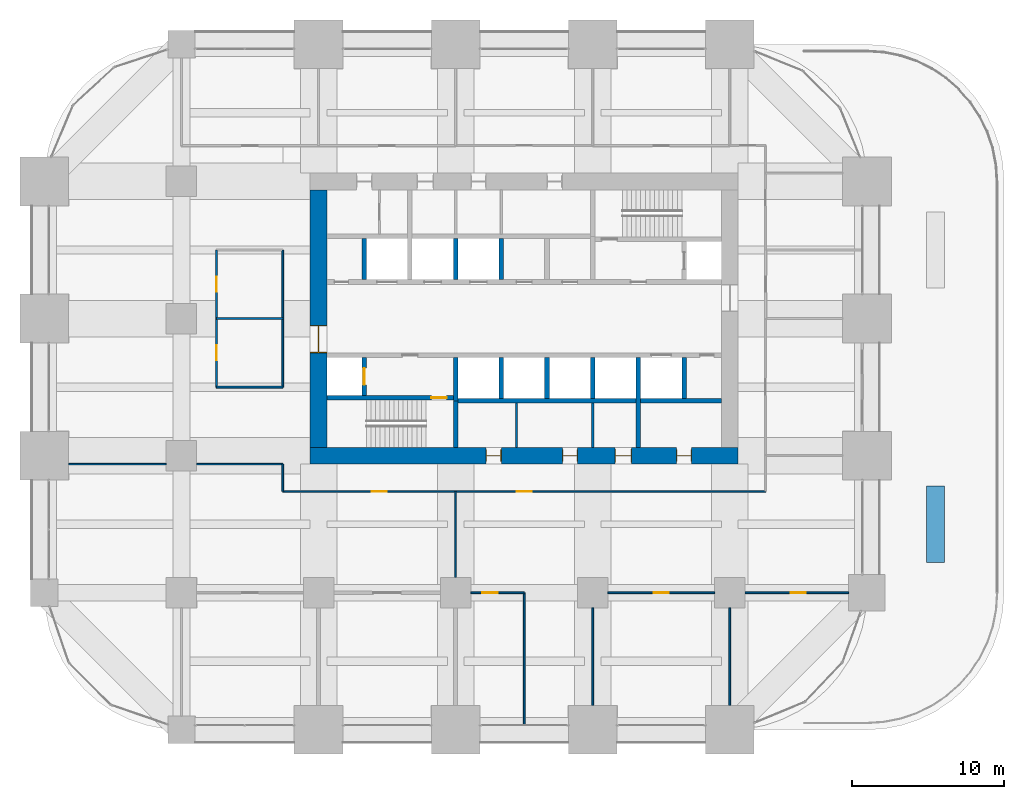
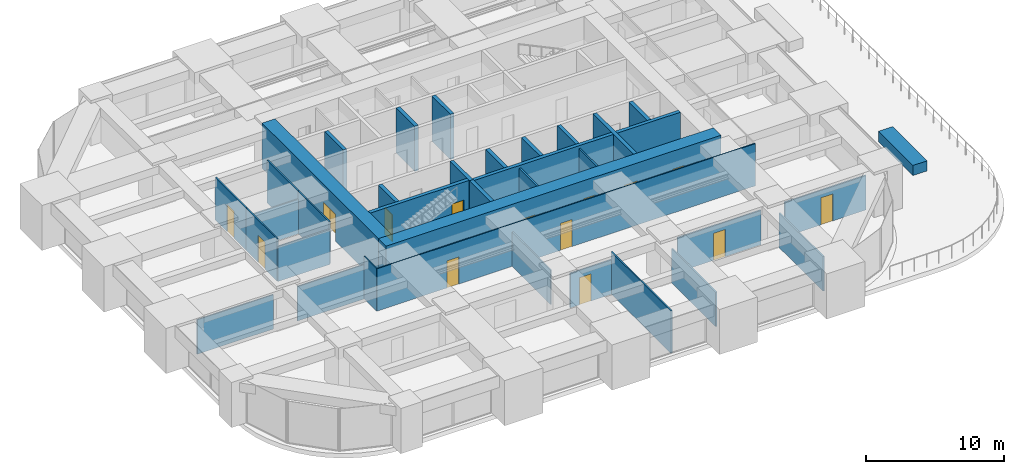
# One storey, part 31 of 35: 35 walls, 14 doors, 14 openings.
"""IFC4 building model written with IfcOpenShell, lengths in metres."""

from ifc_helpers import new_model, si_unit, direction, frame, frame_2d, origin, place, context, subcontext, project, spatial, rectangle, extrude, material, layer, layer_set, type_object, element, fill, save


model = new_model("IFC4")

# Units and contexts
model_context = context("Model", 3, precision=1e-05, world=origin(), true_north=direction((0.0, 1.0)))
body_context = subcontext(model_context, "Body", "Model", "MODEL_VIEW")
ifc_project = project(units=[si_unit("LENGTHUNIT", "METRE"), si_unit("AREAUNIT", "SQUARE_METRE"), si_unit("VOLUMEUNIT", "CUBIC_METRE"), si_unit("PLANEANGLEUNIT", "RADIAN"), si_unit("MASSUNIT", "GRAM", prefix="KILO")], contexts=[model_context])

# Site, building, storey
site_placement = place(None, origin())
site = spatial("IfcSite", under=ifc_project, at=site_placement, CompositionType="ELEMENT")
building_placement = place(site_placement, origin())
building = spatial("IfcBuilding", under=site, at=building_placement, Name="Zorevar Civic Tower", CompositionType="ELEMENT")
storey_placement = place(building_placement, frame((0.0, 0.0, 162.199951171875)))
storey = spatial("IfcBuildingStorey", under=building, at=storey_placement, Name="L39", CompositionType="ELEMENT", Elevation=162.199951171875)

# Wall, openings, doors
ifc_material_1 = material(Name="Concrete C50/60", Category="concrete")
ifc_layer_1 = layer(ifc_material_1, 1.10009765625)
ifc_layer_set_1 = layer_set([ifc_layer_1], Name="Core wall 1100")
wall_type_1 = type_object("IfcWallType", Name="Core wall 1100", PredefinedType="SHEAR", material=ifc_layer_set_1)
wall_1_placement = place(storey_placement, frame((17.449951171875, 18.0, 0.0), z_axis=(0.0, 0.0, 1.0), x_axis=(1.0, 0.0, 0.0)))
wall_1 = element("IfcWall", 1, at=wall_1_placement, inside=storey, type_object=wall_type_1, Name="Core wall S L39", PredefinedType="SHEAR", context=body_context, shape_type="SweptSolid", body=[
    extrude(rectangle(XDim=28.10009765625, YDim=1.10009765625, at=frame_2d((14.050048828125, 0.0))), origin(), (0.0, 0.0, 1.0), 4.0),
])
opening_1_placement = place(wall_1_placement, frame((11.550048828125, 0.0, 0.0)))
opening_1 = element("IfcOpeningElement", 2, at=opening_1_placement, cuts=wall_1, Name="Opening L39.03", PredefinedType="OPENING", context=body_context, shape_type="SweptSolid", body=[
    extrude(rectangle(XDim=1.0, YDim=2.39990234375, at=frame_2d((0.5, 1.199951171875))), frame((0.0, 0.56005859375, 0.0), z_axis=(0.0, -1.0, 0.0), x_axis=(1.0, 0.0, 0.0)), (0.0, 0.0, 1.0), 1.1201171875),
])
opening_2_placement = place(wall_1_placement, frame((16.550048828125, 0.0, 0.0)))
opening_2 = element("IfcOpeningElement", 3, at=opening_2_placement, cuts=wall_1, Name="Opening L39.04", PredefinedType="OPENING", context=body_context, shape_type="SweptSolid", body=[
    extrude(rectangle(XDim=1.0, YDim=2.39990234375, at=frame_2d((0.5, 1.199951171875))), frame((0.0, 0.56005859375, 0.0), z_axis=(0.0, -1.0, 0.0), x_axis=(1.0, 0.0, 0.0)), (0.0, 0.0, 1.0), 1.1201171875),
])
opening_3_placement = place(wall_1_placement, frame((20.0, 0.0, 0.0)))
opening_3 = element("IfcOpeningElement", 4, at=opening_3_placement, cuts=wall_1, Name="Opening L39.05", PredefinedType="OPENING", context=body_context, shape_type="SweptSolid", body=[
    extrude(rectangle(XDim=1.10009765625, YDim=2.39990234375, at=frame_2d((0.550048828125, 1.199951171875))), frame((0.0, 0.56005859375, 0.0), z_axis=(0.0, -1.0, 0.0), x_axis=(1.0, 0.0, 0.0)), (0.0, 0.0, 1.0), 1.1201171875),
])
opening_4_placement = place(wall_1_placement, frame((24.050048828125, 0.0, 0.0)))
opening_4 = element("IfcOpeningElement", 5, at=opening_4_placement, cuts=wall_1, Name="Opening L39.06", PredefinedType="OPENING", context=body_context, shape_type="SweptSolid", body=[
    extrude(rectangle(XDim=1.0, YDim=2.39990234375, at=frame_2d((0.5, 1.199951171875))), frame((0.0, 0.56005859375, 0.0), z_axis=(0.0, -1.0, 0.0), x_axis=(1.0, 0.0, 0.0)), (0.0, 0.0, 1.0), 1.1201171875),
])
ifc_material_2 = material(Name="Timber door set", Category="wood")
door_type_1 = type_object("IfcDoorType", Name="Door D1 1000x2400", OperationType="SINGLE_SWING_LEFT", PredefinedType="DOOR", material=ifc_material_2)
door_1_placement = place(opening_1_placement, origin())
door_1 = element("IfcDoor", 6, at=door_1_placement, inside=storey, type_object=door_type_1, Name="Door L39 02", OperationType="SINGLE_SWING_RIGHT", OverallHeight=2.39990234375, OverallWidth=1.0, PredefinedType="DOOR", context=body_context, shape_type="SweptSolid", body=[
    extrude(rectangle(XDim=1.0, YDim=2.39990234375, at=frame_2d((0.5, 1.199951171875))), frame((0.0, 0.02490234375, 0.0), z_axis=(0.0, -1.0, 0.0), x_axis=(1.0, 0.0, 0.0)), (0.0, 0.0, 1.0), 0.050048828125),
    extrude(rectangle(XDim=0.04, YDim=2.39990234375, at=frame_2d((0.02001953125, 1.199951171875))), frame((0.0, 0.39990234375, 0.0), z_axis=(0.0, -1.0, 0.0), x_axis=(1.0, 0.0, 0.0)), (0.0, 0.0, 1.0), 0.800048828125),
    extrude(rectangle(XDim=0.04, YDim=2.39990234375, at=frame_2d((0.97998046875, 1.199951171875))), frame((0.0, 0.39990234375, 0.0), z_axis=(0.0, -1.0, 0.0), x_axis=(1.0, 0.0, 0.0)), (0.0, 0.0, 1.0), 0.800048828125),
    extrude(rectangle(XDim=1.0, YDim=0.04, at=frame_2d((0.5, 2.3798828125))), frame((0.0, 0.39990234375, 0.0), z_axis=(0.0, -1.0, 0.0), x_axis=(1.0, 0.0, 0.0)), (0.0, 0.0, 1.0), 0.800048828125),
])
fill(opening_1, door_1)
door_2_placement = place(opening_2_placement, origin())
door_2 = element("IfcDoor", 7, at=door_2_placement, inside=storey, type_object=door_type_1, Name="Door L39 03", OperationType="SINGLE_SWING_LEFT", OverallHeight=2.39990234375, OverallWidth=1.0, PredefinedType="DOOR", context=body_context, shape_type="SweptSolid", body=[
    extrude(rectangle(XDim=1.0, YDim=2.39990234375, at=frame_2d((0.5, 1.199951171875))), frame((0.0, 0.02490234375, 0.0), z_axis=(0.0, -1.0, 0.0), x_axis=(1.0, 0.0, 0.0)), (0.0, 0.0, 1.0), 0.050048828125),
    extrude(rectangle(XDim=0.04, YDim=2.39990234375, at=frame_2d((0.02001953125, 1.199951171875))), frame((0.0, 0.39990234375, 0.0), z_axis=(0.0, -1.0, 0.0), x_axis=(1.0, 0.0, 0.0)), (0.0, 0.0, 1.0), 0.800048828125),
    extrude(rectangle(XDim=0.04, YDim=2.39990234375, at=frame_2d((0.97998046875, 1.199951171875))), frame((0.0, 0.39990234375, 0.0), z_axis=(0.0, -1.0, 0.0), x_axis=(1.0, 0.0, 0.0)), (0.0, 0.0, 1.0), 0.800048828125),
    extrude(rectangle(XDim=1.0, YDim=0.04, at=frame_2d((0.5, 2.3798828125))), frame((0.0, 0.39990234375, 0.0), z_axis=(0.0, -1.0, 0.0), x_axis=(1.0, 0.0, 0.0)), (0.0, 0.0, 1.0), 0.800048828125),
])
fill(opening_2, door_2)
door_3_placement = place(opening_4_placement, origin())
door_3 = element("IfcDoor", 8, at=door_3_placement, inside=storey, type_object=door_type_1, Name="Door L39 05", OperationType="SINGLE_SWING_LEFT", OverallHeight=2.39990234375, OverallWidth=1.0, PredefinedType="DOOR", context=body_context, shape_type="SweptSolid", body=[
    extrude(rectangle(XDim=1.0, YDim=2.39990234375, at=frame_2d((0.5, 1.199951171875))), frame((0.0, 0.02490234375, 0.0), z_axis=(0.0, -1.0, 0.0), x_axis=(1.0, 0.0, 0.0)), (0.0, 0.0, 1.0), 0.050048828125),
    extrude(rectangle(XDim=0.04, YDim=2.39990234375, at=frame_2d((0.02001953125, 1.199951171875))), frame((0.0, 0.39990234375, 0.0), z_axis=(0.0, -1.0, 0.0), x_axis=(1.0, 0.0, 0.0)), (0.0, 0.0, 1.0), 0.800048828125),
    extrude(rectangle(XDim=0.04, YDim=2.39990234375, at=frame_2d((0.97998046875, 1.199951171875))), frame((0.0, 0.39990234375, 0.0), z_axis=(0.0, -1.0, 0.0), x_axis=(1.0, 0.0, 0.0)), (0.0, 0.0, 1.0), 0.800048828125),
    extrude(rectangle(XDim=1.0, YDim=0.04, at=frame_2d((0.5, 2.3798828125))), frame((0.0, 0.39990234375, 0.0), z_axis=(0.0, -1.0, 0.0), x_axis=(1.0, 0.0, 0.0)), (0.0, 0.0, 1.0), 0.800048828125),
])
fill(opening_4, door_3)
ifc_material_3 = material(Name="Timber door set", Category="wood")
door_type_2 = type_object("IfcDoorType", Name="Door D5 1100x2400", OperationType="SINGLE_SWING_LEFT", PredefinedType="DOOR", material=ifc_material_3)
door_4_placement = place(opening_3_placement, origin())
door_4 = element("IfcDoor", 9, at=door_4_placement, inside=storey, type_object=door_type_2, Name="Door L39 04", OperationType="SINGLE_SWING_LEFT", OverallHeight=2.39990234375, OverallWidth=1.10009765625, PredefinedType="DOOR", context=body_context, shape_type="SweptSolid", body=[
    extrude(rectangle(XDim=1.10009765625, YDim=2.39990234375, at=frame_2d((0.550048828125, 1.199951171875))), frame((0.0, 0.02490234375, 0.0), z_axis=(0.0, -1.0, 0.0), x_axis=(1.0, 0.0, 0.0)), (0.0, 0.0, 1.0), 0.050048828125),
    extrude(rectangle(XDim=0.04, YDim=2.39990234375, at=frame_2d((0.02001953125, 1.199951171875))), frame((0.0, 0.43994140625, 0.0), z_axis=(0.0, -1.0, 0.0), x_axis=(1.0, 0.0, 0.0)), (0.0, 0.0, 1.0), 0.880126953125),
    extrude(rectangle(XDim=0.04, YDim=2.39990234375, at=frame_2d((1.080078125, 1.199951171875))), frame((0.0, 0.43994140625, 0.0), z_axis=(0.0, -1.0, 0.0), x_axis=(1.0, 0.0, 0.0)), (0.0, 0.0, 1.0), 0.880126953125),
    extrude(rectangle(XDim=1.10009765625, YDim=0.04, at=frame_2d((0.550048828125, 2.3798828125))), frame((0.0, 0.43994140625, 0.0), z_axis=(0.0, -1.0, 0.0), x_axis=(1.0, 0.0, 0.0)), (0.0, 0.0, 1.0), 0.880126953125),
])
fill(opening_3, door_4)

# Wall, opening, door
wall_2_placement = place(storey_placement, frame((18.0, 35.449951171875, 0.0), z_axis=(0.0, 0.0, 1.0), x_axis=(0.0, -1.0, 0.0)))
wall_2 = element("IfcWall", 10, at=wall_2_placement, inside=storey, type_object=wall_type_1, Name="Core wall W L39", PredefinedType="SHEAR", context=body_context, shape_type="SweptSolid", body=[
    extrude(rectangle(XDim=16.89990234375, YDim=1.10009765625, at=frame_2d((8.449951171875, 0.0))), origin(), (0.0, 0.0, 1.0), 4.0),
])
opening_5_placement = place(wall_2_placement, frame((8.89990234375, 0.0, 0.0)))
opening_5 = element("IfcOpeningElement", 11, at=opening_5_placement, cuts=wall_2, Name="Opening L39.01", PredefinedType="OPENING", context=body_context, shape_type="SweptSolid", body=[
    extrude(rectangle(XDim=1.800048828125, YDim=2.39990234375, at=frame_2d((0.89990234375, 1.199951171875))), frame((0.0, 0.56005859375, 0.0), z_axis=(0.0, -1.0, 0.0), x_axis=(1.0, 0.0, 0.0)), (0.0, 0.0, 1.0), 1.1201171875),
])
ifc_material_4 = material(Name="Steel door set", Category="steel")
door_type_3 = type_object("IfcDoorType", Name="Fire door FD2 1800x2400", OperationType="DOUBLE_DOOR_DOUBLE_SWING", PredefinedType="DOOR", material=ifc_material_4)
door_5_placement = place(opening_5_placement, origin())
door_5 = element("IfcDoor", 12, at=door_5_placement, inside=storey, type_object=door_type_3, Name="Door L39 00", OperationType="DOUBLE_DOOR_DOUBLE_SWING", OverallHeight=2.39990234375, OverallWidth=1.800048828125, PredefinedType="DOOR", context=body_context, shape_type="SweptSolid", body=[
    extrude(rectangle(XDim=1.800048828125, YDim=2.39990234375, at=frame_2d((0.89990234375, 1.199951171875))), frame((0.0, 0.030029296875, 0.0), z_axis=(0.0, -1.0, 0.0), x_axis=(1.0, 0.0, 0.0)), (0.0, 0.0, 1.0), 0.06005859375),
    extrude(rectangle(XDim=0.04, YDim=2.39990234375, at=frame_2d((0.02001953125, 1.199951171875))), frame((0.0, 0.5498046875, 0.0), z_axis=(0.0, -1.0, 0.0), x_axis=(1.0, 0.0, 0.0)), (0.0, 0.0, 1.0), 1.099609375),
    extrude(rectangle(XDim=0.04, YDim=2.39990234375, at=frame_2d((1.780029296875, 1.199951171875))), frame((0.0, 0.5498046875, 0.0), z_axis=(0.0, -1.0, 0.0), x_axis=(1.0, 0.0, 0.0)), (0.0, 0.0, 1.0), 1.099609375),
    extrude(rectangle(XDim=1.800048828125, YDim=0.04, at=frame_2d((0.89990234375, 2.3798828125))), frame((0.0, 0.5498046875, 0.0), z_axis=(0.0, -1.0, 0.0), x_axis=(1.0, 0.0, 0.0)), (0.0, 0.0, 1.0), 1.099609375),
])
fill(opening_5, door_5)

# Wall, openings, doors
ifc_material_5 = material(Name="Laminated glass in black aluminium frame", Category="aluminium")
ifc_layer_2 = layer(ifc_material_5, 0.10009765625)
ifc_layer_set_2 = layer_set([ifc_layer_2], Name="Glazed partition 100")
wall_type_2 = type_object("IfcWallType", Name="Glazed partition 100", PredefinedType="PARTITIONING", material=ifc_layer_set_2)
wall_3_placement = place(storey_placement, frame((15.64990234375, 15.64990234375, 0.0), z_axis=(0.0, 0.0, 1.0), x_axis=(1.0, 0.0, 0.0)))
wall_3 = element("IfcWall", 13, at=wall_3_placement, inside=storey, type_object=wall_type_2, Name="Glazed partition 100 L39", PredefinedType="PARTITIONING", context=body_context, shape_type="SweptSolid", body=[
    extrude(rectangle(XDim=31.7001953125, YDim=0.10009765625, at=frame_2d((15.85009765625, 0.0))), origin(), (0.0, 0.0, 1.0), 3.75),
])
opening_6_placement = place(wall_3_placement, frame((5.840087890625, 0.0, 0.0)))
opening_6 = element("IfcOpeningElement", 14, at=opening_6_placement, cuts=wall_3, Name="Opening L39.22", PredefinedType="OPENING", context=body_context, shape_type="SweptSolid", body=[
    extrude(rectangle(XDim=1.0, YDim=2.39990234375, at=frame_2d((0.5, 1.199951171875))), frame((0.0, 0.06005859375, 0.0), z_axis=(0.0, -1.0, 0.0), x_axis=(1.0, 0.0, 0.0)), (0.0, 0.0, 1.0), 0.1201171875),
])
opening_7_placement = place(wall_3_placement, frame((15.35009765625, 0.0, 0.0)))
opening_7 = element("IfcOpeningElement", 15, at=opening_7_placement, cuts=wall_3, Name="Opening L39.23", PredefinedType="OPENING", context=body_context, shape_type="SweptSolid", body=[
    extrude(rectangle(XDim=1.0, YDim=2.39990234375, at=frame_2d((0.5, 1.199951171875))), frame((0.0, 0.06005859375, 0.0), z_axis=(0.0, -1.0, 0.0), x_axis=(1.0, 0.0, 0.0)), (0.0, 0.0, 1.0), 0.1201171875),
])
ifc_material_6 = material(Name="Timber door set", Category="wood")
door_type_4 = type_object("IfcDoorType", Name="Glazed door GD1 1000x2400", OperationType="SINGLE_SWING_LEFT", PredefinedType="DOOR", material=ifc_material_6)
door_6_placement = place(opening_6_placement, origin())
door_6 = element("IfcDoor", 16, at=door_6_placement, inside=storey, type_object=door_type_4, Name="Door L39 D1", OperationType="SINGLE_SWING_LEFT", OverallHeight=2.39990234375, OverallWidth=1.0, PredefinedType="DOOR", context=body_context, shape_type="SweptSolid", body=[
    extrude(rectangle(XDim=1.0, YDim=2.39990234375, at=frame_2d((0.5, 1.199951171875))), frame((0.0, 0.02001953125, 0.0), z_axis=(0.0, -1.0, 0.0), x_axis=(1.0, 0.0, 0.0)), (0.0, 0.0, 1.0), 0.0400390625),
])
fill(opening_6, door_6)
door_7_placement = place(opening_7_placement, origin())
door_7 = element("IfcDoor", 17, at=door_7_placement, inside=storey, type_object=door_type_4, Name="Door L39 D2", OperationType="SINGLE_SWING_LEFT", OverallHeight=2.39990234375, OverallWidth=1.0, PredefinedType="DOOR", context=body_context, shape_type="SweptSolid", body=[
    extrude(rectangle(XDim=1.0, YDim=2.39990234375, at=frame_2d((0.5, 1.199951171875))), frame((0.0, 0.02001953125, 0.0), z_axis=(0.0, -1.0, 0.0), x_axis=(1.0, 0.0, 0.0)), (0.0, 0.0, 1.0), 0.0400390625),
])
fill(opening_7, door_7)

# Walls
wall_4_placement = place(storey_placement, frame((1.60009765625, 17.449951171875, 0.0), z_axis=(0.0, 0.0, 1.0), x_axis=(1.0, 0.0, 0.0)))
element("IfcWall", 18, at=wall_4_placement, inside=storey, type_object=wall_type_2, Name="Glazed partition 100 L39", PredefinedType="PARTITIONING", context=body_context, shape_type="SweptSolid", body=[
    extrude(rectangle(XDim=6.39990234375, YDim=0.10009765625, at=frame_2d((3.199951171875, 0.0))), origin(), (0.0, 0.0, 1.0), 3.050048828125),
])
wall_5_placement = place(storey_placement, frame((10.0, 17.449951171875, 0.0), z_axis=(0.0, 0.0, 1.0), x_axis=(1.0, 0.0, 0.0)))
element("IfcWall", 19, at=wall_5_placement, inside=storey, type_object=wall_type_2, Name="Glazed partition 100 L39", PredefinedType="PARTITIONING", context=body_context, shape_type="SweptSolid", body=[
    extrude(rectangle(XDim=5.64990234375, YDim=0.10009765625, at=frame_2d((2.824951171875, 0.0))), origin(), (0.0, 0.0, 1.0), 3.050048828125),
])
wall_6_placement = place(storey_placement, frame((15.64990234375, 15.64990234375, 0.0), z_axis=(0.0, 0.0, 1.0), x_axis=(0.0, 1.0, 0.0)))
element("IfcWall", 20, at=wall_6_placement, inside=storey, type_object=wall_type_2, Name="Glazed partition 100 L39", PredefinedType="PARTITIONING", context=body_context, shape_type="SweptSolid", body=[
    extrude(rectangle(XDim=1.800048828125, YDim=0.10009765625, at=frame_2d((0.89990234375, 0.0))), origin(), (0.0, 0.0, 1.0), 3.75),
])
wall_7_placement = place(storey_placement, frame((27.0, 10.0, 0.0), z_axis=(0.0, 0.0, 1.0), x_axis=(0.0, 1.0, 0.0)))
element("IfcWall", 21, at=wall_7_placement, inside=storey, type_object=wall_type_2, Name="Glazed partition 100 L39", PredefinedType="PARTITIONING", context=body_context, shape_type="SweptSolid", body=[
    extrude(rectangle(XDim=5.64990234375, YDim=0.10009765625, at=frame_2d((2.824951171875, 0.0))), origin(), (0.0, 0.0, 1.0), 3.050048828125),
])

# Wall, opening, door
ifc_material_7 = material(Name="Concrete C40/50", Category="concrete")
ifc_layer_3 = layer(ifc_material_7, 0.300048828125)
ifc_layer_set_3 = layer_set([ifc_layer_3], Name="Inner core wall 300")
wall_type_3 = type_object("IfcWallType", Name="Inner core wall 300", PredefinedType="SHEAR", material=ifc_layer_set_3)
wall_8_placement = place(storey_placement, frame((18.550048828125, 21.800048828125, 0.0), z_axis=(0.0, 0.0, 1.0), x_axis=(1.0, 0.0, 0.0)))
wall_8 = element("IfcWall", 22, at=wall_8_placement, inside=storey, type_object=wall_type_3, Name="Inner core wall S00 L39", PredefinedType="SHEAR", context=body_context, shape_type="SweptSolid", body=[
    extrude(rectangle(XDim=8.300048828125, YDim=0.300048828125, at=frame_2d((4.14990234375, 0.0))), origin(), (0.0, 0.0, 1.0), 4.0),
])
opening_8_placement = place(wall_8_placement, frame((6.85009765625, 0.0, 0.0)))
opening_8 = element("IfcOpeningElement", 23, at=opening_8_placement, cuts=wall_8, Name="Opening L39.11", PredefinedType="OPENING", context=body_context, shape_type="SweptSolid", body=[
    extrude(rectangle(XDim=1.0, YDim=2.39990234375, at=frame_2d((0.5, 1.199951171875))), frame((0.0, 0.159912109375, 0.0), z_axis=(0.0, -1.0, 0.0), x_axis=(1.0, 0.0, 0.0)), (0.0, 0.0, 1.0), 0.320068359375),
])
ifc_material_8 = material(Name="Steel door set", Category="steel")
door_type_5 = type_object("IfcDoorType", Name="Fire door FD1 1000x2400", OperationType="SINGLE_SWING_LEFT", PredefinedType="DOOR", material=ifc_material_8)
door_8_placement = place(opening_8_placement, origin())
door_8 = element("IfcDoor", 24, at=door_8_placement, inside=storey, type_object=door_type_5, Name="Door L39 10", OperationType="SINGLE_SWING_RIGHT", OverallHeight=2.39990234375, OverallWidth=1.0, PredefinedType="DOOR", context=body_context, shape_type="SweptSolid", body=[
    extrude(rectangle(XDim=1.0, YDim=2.39990234375, at=frame_2d((0.5, 1.199951171875))), frame((0.0, 0.030029296875, 0.0), z_axis=(0.0, -1.0, 0.0), x_axis=(1.0, 0.0, 0.0)), (0.0, 0.0, 1.0), 0.06005859375),
])
fill(opening_8, door_8)

# Wall
wall_9_placement = place(storey_placement, frame((27.0, 18.550048828125, 0.0), z_axis=(0.0, 0.0, 1.0), x_axis=(0.0, 1.0, 0.0)))
element("IfcWall", 25, at=wall_9_placement, inside=storey, type_object=wall_type_3, Name="Inner core wall S01 L39", PredefinedType="SHEAR", context=body_context, shape_type="SweptSolid", body=[
    extrude(rectangle(XDim=3.050048828125, YDim=0.300048828125, at=frame_2d((1.52490234375, 0.0))), origin(), (0.0, 0.0, 1.0), 4.0),
])

# Wall, opening, door
wall_10_placement = place(storey_placement, frame((21.0, 21.949951171875, 0.0), z_axis=(0.0, 0.0, 1.0), x_axis=(0.0, 1.0, 0.0)))
wall_10 = element("IfcWall", 26, at=wall_10_placement, inside=storey, type_object=wall_type_3, Name="Inner core wall S02 L39", PredefinedType="SHEAR", context=body_context, shape_type="SweptSolid", body=[
    extrude(rectangle(XDim=2.5, YDim=0.300048828125, at=frame_2d((1.25, 0.0))), origin(), (0.0, 0.0, 1.0), 4.0),
])
opening_9_placement = place(wall_10_placement, frame((0.699951171875, 0.0, 0.0)))
opening_9 = element("IfcOpeningElement", 27, at=opening_9_placement, cuts=wall_10, Name="Opening L39.FL1", PredefinedType="OPENING", context=body_context, shape_type="SweptSolid", body=[
    extrude(rectangle(XDim=1.10009765625, YDim=2.39990234375, at=frame_2d((0.550048828125, 1.199951171875))), frame((0.0, 0.159912109375, 0.0), z_axis=(0.0, -1.0, 0.0), x_axis=(1.0, 0.0, 0.0)), (0.0, 0.0, 1.0), 0.320068359375),
])
ifc_material_9 = material(Name="Steel door set", Category="steel")
door_type_6 = type_object("IfcDoorType", Name="Firefighting lift landing door LD3 1100x2400", OperationType="DOUBLE_DOOR_SLIDING", PredefinedType="DOOR", material=ifc_material_9)
door_9_placement = place(opening_9_placement, origin())
door_9 = element("IfcDoor", 28, at=door_9_placement, inside=storey, type_object=door_type_6, Name="Landing door FL1 L39", OperationType="DOUBLE_DOOR_SLIDING", OverallHeight=2.39990234375, OverallWidth=1.10009765625, PredefinedType="DOOR", context=body_context, shape_type="SweptSolid", body=[
    extrude(rectangle(XDim=1.10009765625, YDim=2.39990234375, at=frame_2d((0.550048828125, 1.199951171875))), frame((0.0, 0.030029296875, 0.0), z_axis=(0.0, -1.0, 0.0), x_axis=(1.0, 0.0, 0.0)), (0.0, 0.0, 1.0), 0.06005859375),
])
fill(opening_9, door_9)

# Walls
wall_11_placement = place(storey_placement, frame((27.14990234375, 21.60009765625, 0.0), z_axis=(0.0, 0.0, 1.0), x_axis=(1.0, 0.0, 0.0)))
element("IfcWall", 29, at=wall_11_placement, inside=storey, type_object=wall_type_3, Name="Inner core wall S04 L39", PredefinedType="SHEAR", context=body_context, shape_type="SweptSolid", body=[
    extrude(rectangle(XDim=17.300048828125, YDim=0.300048828125, at=frame_2d((8.64990234375, 0.0))), origin(), (0.0, 0.0, 1.0), 4.0),
])
for number, where, z_axis, x_axis, name in (
    (30, (30.0, 21.75, 0.0), (0.0, 0.0, 1.0), (0.0, 1.0, 0.0), "Inner core wall S05 L39"),
    (31, (33.0, 21.75, 0.0), (0.0, 0.0, 1.0), (0.0, 1.0, 0.0), "Inner core wall S06 L39"),
    (32, (30.0, 29.550048828125, 0.0), (0.0, 0.0, 1.0), (0.0, 1.0, 0.0), "Inner core wall N06 L39"),
    (33, (36.0, 21.75, 0.0), (0.0, 0.0, 1.0), (0.0, 1.0, 0.0), "Inner core wall S07 L39"),
    (34, (27.0, 29.550048828125, 0.0), (0.0, 0.0, 1.0), (0.0, 1.0, 0.0), "Inner core wall N07 L39"),
):
    element("IfcWall", number, at=place(storey_placement, frame(where, z_axis=z_axis, x_axis=x_axis)), inside=storey, type_object=wall_type_3, Name=name, PredefinedType="SHEAR", context=body_context, shape_type="SweptSolid", body=[
        extrude(rectangle(XDim=2.699951171875, YDim=0.300048828125, at=frame_2d((1.35009765625, 0.0))), origin(), (0.0, 0.0, 1.0), 4.0),
    ])
wall_12_placement = place(storey_placement, frame((39.0, 18.550048828125, 0.0), z_axis=(0.0, 0.0, 1.0), x_axis=(0.0, 1.0, 0.0)))
element("IfcWall", 35, at=wall_12_placement, inside=storey, type_object=wall_type_3, Name="Inner core wall S08 L39", PredefinedType="SHEAR", context=body_context, shape_type="SweptSolid", body=[
    extrude(rectangle(XDim=5.89990234375, YDim=0.300048828125, at=frame_2d((2.949951171875, 0.0))), origin(), (0.0, 0.0, 1.0), 4.0),
])
for number, where, z_axis, x_axis, name in (
    (36, (42.0, 21.75, 0.0), (0.0, 0.0, 1.0), (0.0, 1.0, 0.0), "Inner core wall S09 L39"),
    (37, (21.0, 29.550048828125, 0.0), (0.0, 0.0, 1.0), (0.0, 1.0, 0.0), "Inner core wall N09 L39"),
):
    element("IfcWall", number, at=place(storey_placement, frame(where, z_axis=z_axis, x_axis=x_axis)), inside=storey, type_object=wall_type_3, Name=name, PredefinedType="SHEAR", context=body_context, shape_type="SweptSolid", body=[
        extrude(rectangle(XDim=2.699951171875, YDim=0.300048828125, at=frame_2d((1.35009765625, 0.0))), origin(), (0.0, 0.0, 1.0), 4.0),
    ])
wall_13_placement = place(storey_placement, frame((27.0, 21.60009765625, 0.0), z_axis=(0.0, 0.0, 1.0), x_axis=(0.0, 1.0, 0.0)))
element("IfcWall", 38, at=wall_13_placement, inside=storey, type_object=wall_type_3, Name="Inner core wall S10 L39", PredefinedType="SHEAR", context=body_context, shape_type="SweptSolid", body=[
    extrude(rectangle(XDim=2.849853515625, YDim=0.300048828125, at=frame_2d((1.4248046875, 0.0))), origin(), (0.0, 0.0, 1.0), 4.0),
])

# Wall, opening, door
ifc_material_10 = material(Name="Gypsum board on steel studs", Category="steel")
ifc_layer_4 = layer(ifc_material_10, 0.1201171875)
ifc_layer_set_4 = layer_set([ifc_layer_4], Name="Partition 120")
wall_type_4 = type_object("IfcWallType", Name="Partition 120", PredefinedType="PARTITIONING", material=ifc_layer_set_4)
wall_14_placement = place(storey_placement, frame((28.0, 9.0, 0.0), z_axis=(0.0, 0.0, 1.0), x_axis=(1.0, 0.0, 0.0)))
wall_14 = element("IfcWall", 39, at=wall_14_placement, inside=storey, type_object=wall_type_4, Name="Partition 120 L39", PredefinedType="PARTITIONING", context=body_context, shape_type="SweptSolid", body=[
    extrude(rectangle(XDim=3.5, YDim=0.1201171875, at=frame_2d((1.75, 0.0))), origin(), (0.0, 0.0, 1.0), 3.050048828125),
])
opening_10_placement = place(wall_14_placement, frame((0.75, 0.0, 0.0)))
opening_10 = element("IfcOpeningElement", 40, at=opening_10_placement, cuts=wall_14, Name="Opening L39.19", PredefinedType="OPENING", context=body_context, shape_type="SweptSolid", body=[
    extrude(rectangle(XDim=1.0, YDim=2.39990234375, at=frame_2d((0.5, 1.199951171875))), frame((0.0, 0.070068359375, 0.0), z_axis=(0.0, -1.0, 0.0), x_axis=(1.0, 0.0, 0.0)), (0.0, 0.0, 1.0), 0.14013671875),
])
door_10_placement = place(opening_10_placement, origin())
door_10 = element("IfcDoor", 41, at=door_10_placement, inside=storey, type_object=door_type_1, Name="Door L39 D1", OperationType="SINGLE_SWING_RIGHT", OverallHeight=2.39990234375, OverallWidth=1.0, PredefinedType="DOOR", context=body_context, shape_type="SweptSolid", body=[
    extrude(rectangle(XDim=1.0, YDim=2.39990234375, at=frame_2d((0.5, 1.199951171875))), frame((0.0, 0.02490234375, 0.0), z_axis=(0.0, -1.0, 0.0), x_axis=(1.0, 0.0, 0.0)), (0.0, 0.0, 1.0), 0.050048828125),
])
fill(opening_10, door_10)

wall_15_placement = place(storey_placement, frame((37.0, 9.0, 0.0), z_axis=(0.0, 0.0, 1.0), x_axis=(1.0, 0.0, 0.0)))
wall_15 = element("IfcWall", 42, at=wall_15_placement, inside=storey, type_object=wall_type_4, Name="Partition 120 L39", PredefinedType="PARTITIONING", context=body_context, shape_type="SweptSolid", body=[
    extrude(rectangle(XDim=7.0, YDim=0.1201171875, at=frame_2d((3.5, 0.0))), origin(), (0.0, 0.0, 1.0), 3.050048828125),
])
opening_11_placement = place(wall_15_placement, frame((3.0, 0.0, 0.0)))
opening_11 = element("IfcOpeningElement", 43, at=opening_11_placement, cuts=wall_15, Name="Opening L39.20", PredefinedType="OPENING", context=body_context, shape_type="SweptSolid", body=[
    extrude(rectangle(XDim=1.0, YDim=2.39990234375, at=frame_2d((0.5, 1.199951171875))), frame((0.0, 0.070068359375, 0.0), z_axis=(0.0, -1.0, 0.0), x_axis=(1.0, 0.0, 0.0)), (0.0, 0.0, 1.0), 0.14013671875),
])
door_11_placement = place(opening_11_placement, origin())
door_11 = element("IfcDoor", 44, at=door_11_placement, inside=storey, type_object=door_type_1, Name="Door L39 D1", OperationType="SINGLE_SWING_LEFT", OverallHeight=2.39990234375, OverallWidth=1.0, PredefinedType="DOOR", context=body_context, shape_type="SweptSolid", body=[
    extrude(rectangle(XDim=1.0, YDim=2.39990234375, at=frame_2d((0.5, 1.199951171875))), frame((0.0, 0.02490234375, 0.0), z_axis=(0.0, -1.0, 0.0), x_axis=(1.0, 0.0, 0.0)), (0.0, 0.0, 1.0), 0.050048828125),
])
fill(opening_11, door_11)

wall_16_placement = place(storey_placement, frame((46.0, 9.0, 0.0), z_axis=(0.0, 0.0, 1.0), x_axis=(1.0, 0.0, 0.0)))
wall_16 = element("IfcWall", 45, at=wall_16_placement, inside=storey, type_object=wall_type_4, Name="Partition 120 L39", PredefinedType="PARTITIONING", context=body_context, shape_type="SweptSolid", body=[
    extrude(rectangle(XDim=6.800048828125, YDim=0.1201171875, at=frame_2d((3.39990234375, 0.0))), origin(), (0.0, 0.0, 1.0), 3.050048828125),
])
opening_12_placement = place(wall_16_placement, frame((3.0, 0.0, 0.0)))
opening_12 = element("IfcOpeningElement", 46, at=opening_12_placement, cuts=wall_16, Name="Opening L39.21", PredefinedType="OPENING", context=body_context, shape_type="SweptSolid", body=[
    extrude(rectangle(XDim=1.0, YDim=2.39990234375, at=frame_2d((0.5, 1.199951171875))), frame((0.0, 0.070068359375, 0.0), z_axis=(0.0, -1.0, 0.0), x_axis=(1.0, 0.0, 0.0)), (0.0, 0.0, 1.0), 0.14013671875),
])
door_12_placement = place(opening_12_placement, origin())
door_12 = element("IfcDoor", 47, at=door_12_placement, inside=storey, type_object=door_type_1, Name="Door L39 D1", OperationType="SINGLE_SWING_LEFT", OverallHeight=2.39990234375, OverallWidth=1.0, PredefinedType="DOOR", context=body_context, shape_type="SweptSolid", body=[
    extrude(rectangle(XDim=1.0, YDim=2.39990234375, at=frame_2d((0.5, 1.199951171875))), frame((0.0, 0.02490234375, 0.0), z_axis=(0.0, -1.0, 0.0), x_axis=(1.0, 0.0, 0.0)), (0.0, 0.0, 1.0), 0.050048828125),
])
fill(opening_12, door_12)

# Walls
wall_17_placement = place(storey_placement, frame((11.300048828125, 22.5, 0.0), z_axis=(0.0, 0.0, 1.0), x_axis=(1.0, 0.0, 0.0)))
element("IfcWall", 48, at=wall_17_placement, inside=storey, type_object=wall_type_4, Name="Partition 120 L39", PredefinedType="PARTITIONING", context=body_context, shape_type="SweptSolid", body=[
    extrude(rectangle(XDim=4.349853515625, YDim=0.1201171875, at=frame_2d((2.1748046875, 0.0))), origin(), (0.0, 0.0, 1.0), 3.10009765625),
])
wall_18_placement = place(storey_placement, frame((11.300048828125, 27.0, 0.0), z_axis=(0.0, 0.0, 1.0), x_axis=(1.0, 0.0, 0.0)))
element("IfcWall", 49, at=wall_18_placement, inside=storey, type_object=wall_type_4, Name="Partition 120 L39", PredefinedType="PARTITIONING", context=body_context, shape_type="SweptSolid", body=[
    extrude(rectangle(XDim=4.349853515625, YDim=0.1201171875, at=frame_2d((2.1748046875, 0.0))), origin(), (0.0, 0.0, 1.0), 3.050048828125),
])

# Wall, opening, door
wall_19_placement = place(storey_placement, frame((11.300048828125, 22.5, 0.0), z_axis=(0.0, 0.0, 1.0), x_axis=(0.0, 1.0, 0.0)))
wall_19 = element("IfcWall", 50, at=wall_19_placement, inside=storey, type_object=wall_type_4, Name="Partition 120 L39", PredefinedType="PARTITIONING", context=body_context, shape_type="SweptSolid", body=[
    extrude(rectangle(XDim=4.5, YDim=0.1201171875, at=frame_2d((2.25, 0.0))), origin(), (0.0, 0.0, 1.0), 3.75),
])
opening_13_placement = place(wall_19_placement, frame((1.75, 0.0, 0.0)))
opening_13 = element("IfcOpeningElement", 51, at=opening_13_placement, cuts=wall_19, Name="Opening L39.29", PredefinedType="OPENING", context=body_context, shape_type="SweptSolid", body=[
    extrude(rectangle(XDim=1.0, YDim=2.39990234375, at=frame_2d((0.5, 1.199951171875))), frame((0.0, 0.070068359375, 0.0), z_axis=(0.0, -1.0, 0.0), x_axis=(1.0, 0.0, 0.0)), (0.0, 0.0, 1.0), 0.14013671875),
])
door_13_placement = place(opening_13_placement, origin())
door_13 = element("IfcDoor", 52, at=door_13_placement, inside=storey, type_object=door_type_1, Name="Door L39 D1", OperationType="SINGLE_SWING_RIGHT", OverallHeight=2.39990234375, OverallWidth=1.0, PredefinedType="DOOR", context=body_context, shape_type="SweptSolid", body=[
    extrude(rectangle(XDim=1.0, YDim=2.39990234375, at=frame_2d((0.5, 1.199951171875))), frame((0.0, 0.02490234375, 0.0), z_axis=(0.0, -1.0, 0.0), x_axis=(1.0, 0.0, 0.0)), (0.0, 0.0, 1.0), 0.050048828125),
])
fill(opening_13, door_13)

wall_20_placement = place(storey_placement, frame((11.300048828125, 27.0, 0.0), z_axis=(0.0, 0.0, 1.0), x_axis=(0.0, 1.0, 0.0)))
wall_20 = element("IfcWall", 53, at=wall_20_placement, inside=storey, type_object=wall_type_4, Name="Partition 120 L39", PredefinedType="PARTITIONING", context=body_context, shape_type="SweptSolid", body=[
    extrude(rectangle(XDim=4.5, YDim=0.1201171875, at=frame_2d((2.25, 0.0))), origin(), (0.0, 0.0, 1.0), 3.75),
])
opening_14_placement = place(wall_20_placement, frame((1.75, 0.0, 0.0)))
opening_14 = element("IfcOpeningElement", 54, at=opening_14_placement, cuts=wall_20, Name="Opening L39.30", PredefinedType="OPENING", context=body_context, shape_type="SweptSolid", body=[
    extrude(rectangle(XDim=1.0, YDim=2.39990234375, at=frame_2d((0.5, 1.199951171875))), frame((0.0, 0.070068359375, 0.0), z_axis=(0.0, -1.0, 0.0), x_axis=(1.0, 0.0, 0.0)), (0.0, 0.0, 1.0), 0.14013671875),
])
door_14_placement = place(opening_14_placement, origin())
door_14 = element("IfcDoor", 55, at=door_14_placement, inside=storey, type_object=door_type_1, Name="Door L39 D1", OperationType="SINGLE_SWING_LEFT", OverallHeight=2.39990234375, OverallWidth=1.0, PredefinedType="DOOR", context=body_context, shape_type="SweptSolid", body=[
    extrude(rectangle(XDim=1.0, YDim=2.39990234375, at=frame_2d((0.5, 1.199951171875))), frame((0.0, 0.02490234375, 0.0), z_axis=(0.0, -1.0, 0.0), x_axis=(1.0, 0.0, 0.0)), (0.0, 0.0, 1.0), 0.050048828125),
])
fill(opening_14, door_14)

# Walls
for number, where, z_axis, x_axis, name in (
    (56, (15.64990234375, 22.5, 0.0), (0.0, 0.0, 1.0), (0.0, 1.0, 0.0), "Partition 120 L39"),
    (57, (15.64990234375, 27.0, 0.0), (0.0, 0.0, 1.0), (0.0, 1.0, 0.0), "Partition 120 L39"),
):
    element("IfcWall", number, at=place(storey_placement, frame(where, z_axis=z_axis, x_axis=x_axis)), inside=storey, type_object=wall_type_4, Name=name, PredefinedType="PARTITIONING", context=body_context, shape_type="SweptSolid", body=[
        extrude(rectangle(XDim=4.5, YDim=0.1201171875, at=frame_2d((2.25, 0.0))), origin(), (0.0, 0.0, 1.0), 3.75),
    ])
wall_21_placement = place(storey_placement, frame((31.5, 0.31005859375, 0.0), z_axis=(0.0, 0.0, 1.0), x_axis=(0.0, 1.0, 0.0)))
element("IfcWall", 58, at=wall_21_placement, inside=storey, type_object=wall_type_4, Name="Partition 120 L39", PredefinedType="PARTITIONING", context=body_context, shape_type="SweptSolid", body=[
    extrude(rectangle(XDim=8.68994140625, YDim=0.1201171875, at=frame_2d((4.344970703125, 0.0))), origin(), (0.0, 0.0, 1.0), 3.75),
])
for number, where, z_axis, x_axis, name in (
    (59, (36.0, 1.60009765625, 0.0), (0.0, 0.0, 1.0), (0.0, 1.0, 0.0), "Partition 120 L39"),
    (60, (45.0, 1.60009765625, 0.0), (0.0, 0.0, 1.0), (0.0, 1.0, 0.0), "Partition 120 L39"),
):
    element("IfcWall", number, at=place(storey_placement, frame(where, z_axis=z_axis, x_axis=x_axis)), inside=storey, type_object=wall_type_4, Name=name, PredefinedType="PARTITIONING", context=body_context, shape_type="SweptSolid", body=[
        extrude(rectangle(XDim=6.39990234375, YDim=0.1201171875, at=frame_2d((3.199951171875, 0.0))), origin(), (0.0, 0.0, 1.0), 3.050048828125),
    ])
ifc_material_11 = material(Name="Precast concrete planter", Category="concrete")
ifc_layer_5 = layer(ifc_material_11, 1.199951171875)
ifc_layer_set_5 = layer_set([ifc_layer_5], Name="Planter PL1 1200")
wall_type_5 = type_object("IfcWallType", Name="Planter PL1 1200", PredefinedType="USERDEFINED", material=ifc_layer_set_5)
wall_22_placement = place(storey_placement, frame((58.5, 11.0, 0.0), z_axis=(0.0, 0.0, 1.0), x_axis=(0.0, 1.0, 0.0)))
element("IfcWall", 61, at=wall_22_placement, inside=storey, type_object=wall_type_5, Name="Planter L39", ObjectType="PLANTER", PredefinedType="USERDEFINED", context=body_context, shape_type="SweptSolid", body=[
    extrude(rectangle(XDim=5.0, YDim=1.199951171875, at=frame_2d((2.5, 0.0))), origin(), (0.0, 0.0, 1.0), 0.900146484375),
])
ifc_material_12 = material(Name="Gypsum board on steel studs, moisture resistant", Category="steel")
ifc_layer_6 = layer(ifc_material_12, 0.14990234375)
ifc_layer_set_6 = layer_set([ifc_layer_6], Name="WC partition 150")
wall_type_6 = type_object("IfcWallType", Name="WC partition 150", PredefinedType="PARTITIONING", material=ifc_layer_set_6)
for number, where, z_axis, x_axis, name in (
    (62, (31.0, 18.550048828125, 0.0), (0.0, 0.0, 1.0), (0.0, 1.0, 0.0), "WC partition L39"),
    (63, (36.0, 18.550048828125, 0.0), (0.0, 0.0, 1.0), (0.0, 1.0, 0.0), "WC partition L39"),
):
    element("IfcWall", number, at=place(storey_placement, frame(where, z_axis=z_axis, x_axis=x_axis)), inside=storey, type_object=wall_type_6, Name=name, PredefinedType="PARTITIONING", context=body_context, shape_type="SweptSolid", body=[
        extrude(rectangle(XDim=2.89990234375, YDim=0.14990234375, at=frame_2d((1.449951171875, 0.0))), origin(), (0.0, 0.0, 1.0), 3.75),
    ])

save(model, "model.ifc")
